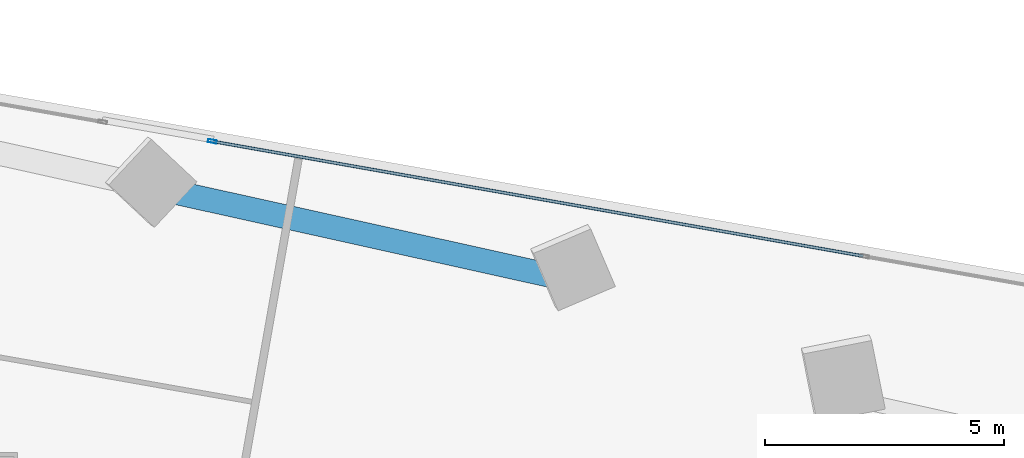
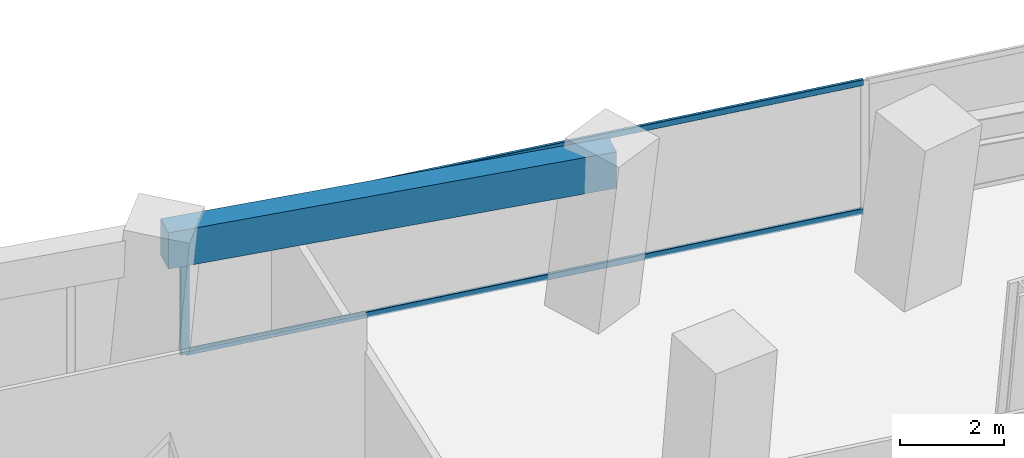
# One storey, part 18 of 24: 3 members, 1 beam, 1 element without a shape of its own.
"""IFC4 building model written with IfcOpenShell, lengths in metres."""

from ifc_helpers import new_model, si_unit, direction, frame, origin, origin_2d, place, context, subcontext, project, spatial, rectangle, hollow_rectangle, extrude, source, transform, mapped, material, material_profile, profile_set, type_object, element, aggregate, save


model = new_model("IFC4")

# Units and contexts
model_context = context("Model", 3, precision=1e-05, world=origin(), true_north=direction((0.0, 1.0)))
body_context = subcontext(model_context, "Body", "Model", "MODEL_VIEW")
ifc_project = project(units=[si_unit("LENGTHUNIT", "METRE"), si_unit("AREAUNIT", "SQUARE_METRE"), si_unit("VOLUMEUNIT", "CUBIC_METRE"), si_unit("PLANEANGLEUNIT", "RADIAN"), si_unit("MASSUNIT", "GRAM", prefix="KILO")], contexts=[model_context])

# Site, building, storey
site_placement = place(None, origin())
site = spatial("IfcSite", under=ifc_project, at=site_placement, CompositionType="ELEMENT")
building_placement = place(site_placement, origin())
building = spatial("IfcBuilding", under=site, at=building_placement, Name="Torre Montelarca", CompositionType="ELEMENT")
storey_placement = place(building_placement, frame((0.0, 0.0, 83.199951171875)))
storey = spatial("IfcBuildingStorey", under=building, at=storey_placement, Name="L18", CompositionType="ELEMENT", Elevation=83.199951171875)

# Beam
ifc_material_1 = material(Name="Concrete C55/67", Category="concrete")
ifc_material_profile_1 = material_profile(ifc_material_1, rectangle(XDim=0.5, YDim=0.85009765625, at=origin_2d()), Name="RCB500X850", Category="concrete")
ifc_profile_set_1 = profile_set([ifc_material_profile_1], Name="Concrete C55/67")
beam_type = type_object("IfcBeamType", Name="BM-SP-RC850-EXT", PredefinedType="SPANDREL", material=ifc_profile_set_1)
shared_shape_1 = source(origin(), body_context, "Body", "SweptSolid", [
    extrude(rectangle(XDim=0.5, YDim=0.85009765625, at=origin_2d()), origin(), (0.0, 0.0, 1.0), 9.0),
])
beam_placement = place(storey_placement, frame((30.148681640625, 45.6005859375, 3.53515625), z_axis=(0.976294808562, -0.216445020214, 0.0), x_axis=(0.216445020214, 0.976294808562, 0.0)))
element("IfcBeam", 1, at=beam_placement, inside=storey, type_object=beam_type, Name="L18 Grid Girder X 27.0-36.0 at Y=47.1", PredefinedType="SPANDREL", context=body_context, shape_type="MappedRepresentation", body=[
    mapped(shared_shape_1, transform((0.0, 0.0, 0.0), scale=1.0)),
])

# Curtain wall, members
ifc_material_2 = material(Name="Insulated low-E laminated glass", Category="glass")
curtain_wall_type = type_object("IfcCurtainWallType", Name="CW-SYS-Z1", PredefinedType="USERDEFINED", material=ifc_material_2)
curtain_wall_placement = place(storey_placement, origin())
curtain_wall = element("IfcCurtainWall", 2, at=curtain_wall_placement, inside=storey, type_object=curtain_wall_type, Name="L18 Curtain Wall Run CW-T3-L18-E08-B1", ObjectType="UNITISED GLAZING", PredefinedType="USERDEFINED")
ifc_material_3 = material(Name="Anodised aluminium AA 6063-T6", Category="aluminium")
ifc_material_profile_2 = material_profile(ifc_material_3, hollow_rectangle(XDim=0.06494140625, YDim=0.179931640625, WallThickness=0.00390625, InnerFilletRadius=0.00390625, OuterFilletRadius=0.008056640625, at=origin_2d()), Name="ALU65X180X4", Category="aluminium")
ifc_profile_set_2 = profile_set([ifc_material_profile_2], Name="Anodised aluminium AA 6063-T6")
member_type_1 = type_object("IfcMemberType", Name="CWM-ALU180", PredefinedType="MULLION", material=ifc_profile_set_2)
shared_shape_2 = source(origin(), body_context, "Body", "SweptSolid", [
    extrude(hollow_rectangle(XDim=0.06494140625, YDim=0.179931640625, WallThickness=0.00390625, InnerFilletRadius=0.00390625, OuterFilletRadius=0.008056640625, at=origin_2d()), origin(), (0.0, 0.0, 1.0), 3.074951171875),
])
member_1_placement = place(storey_placement, frame((31.176025390625, 46.61181640625, 0.0), z_axis=(0.0, 0.0, 1.0), x_axis=(-0.173645051264, -0.984808304276, 0.0)))
member_1 = element("IfcMember", 3, at=member_1_placement, type_object=member_type_1, Name="CW mullion 3", PredefinedType="MULLION", context=body_context, shape_type="MappedRepresentation", body=[
    mapped(shared_shape_2, transform((0.0, 0.0, 0.0), scale=1.0)),
])
ifc_material_profile_3 = material_profile(ifc_material_3, hollow_rectangle(XDim=0.06494140625, YDim=0.139892578125, WallThickness=0.00390625, InnerFilletRadius=0.00390625, OuterFilletRadius=0.008056640625, at=origin_2d()), Name="ALU65X140X4", Category="aluminium")
ifc_profile_set_3 = profile_set([ifc_material_profile_3], Name="Anodised aluminium AA 6063-T6")
member_type_2 = type_object("IfcMemberType", Name="CWT-ALU140", PredefinedType="USERDEFINED", material=ifc_profile_set_3)
shared_shape_3 = source(origin(), body_context, "Body", "SweptSolid", [
    extrude(hollow_rectangle(XDim=0.06494140625, YDim=0.139892578125, WallThickness=0.00390625, InnerFilletRadius=0.00390625, OuterFilletRadius=0.008056640625, at=origin_2d()), origin(), (0.0, 0.0, 1.0), 13.789794921875),
])
member_2_placement = place(storey_placement, frame((44.788330078125, 44.21142578125, 0.032470703125), z_axis=(-0.984805295396, 0.173662114922, 0.0), x_axis=(-0.173662114922, -0.984805295396, 0.0)))
member_2 = element("IfcMember", 4, at=member_2_placement, type_object=member_type_2, Name="CW transom 2.1", ObjectType="TRANSOM", PredefinedType="USERDEFINED", context=body_context, shape_type="MappedRepresentation", body=[
    mapped(shared_shape_3, transform((0.0, 0.0, 0.0), scale=1.0)),
])
member_3_placement = place(storey_placement, frame((44.788330078125, 44.21142578125, 3.04248046875), z_axis=(-0.984805295396, 0.173662114922, 0.0), x_axis=(-0.173662114922, -0.984805295396, 0.0)))
member_3 = element("IfcMember", 5, at=member_3_placement, type_object=member_type_2, Name="CW transom 2.2", ObjectType="TRANSOM", PredefinedType="USERDEFINED", context=body_context, shape_type="MappedRepresentation", body=[
    mapped(shared_shape_3, transform((0.0, 0.0, 0.0), scale=1.0)),
])
aggregate(curtain_wall, [member_1, member_2, member_3])

save(model, "model.ifc")
